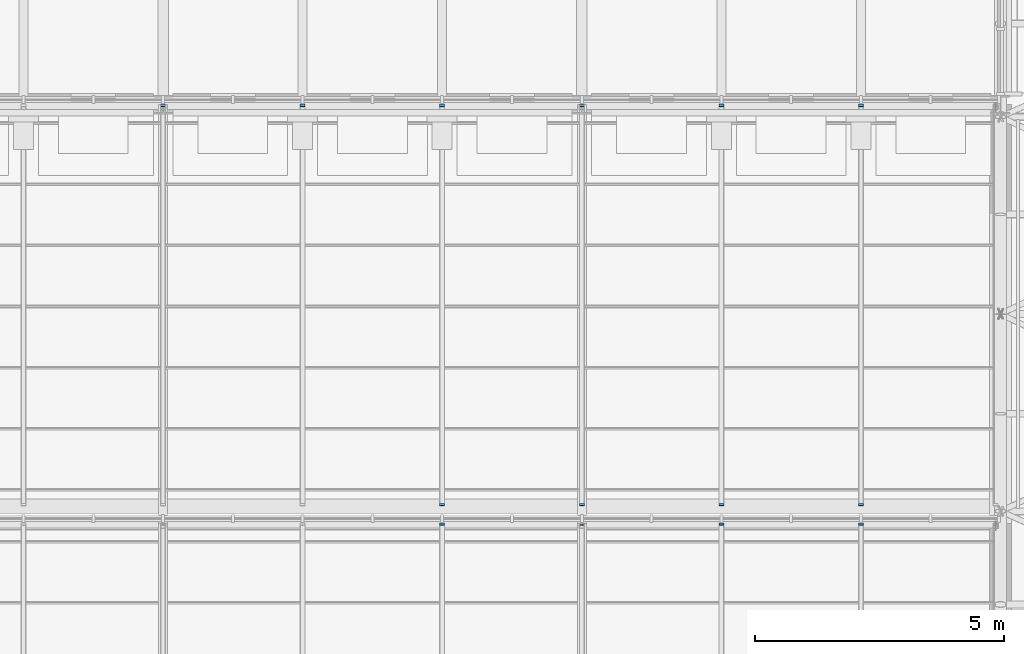
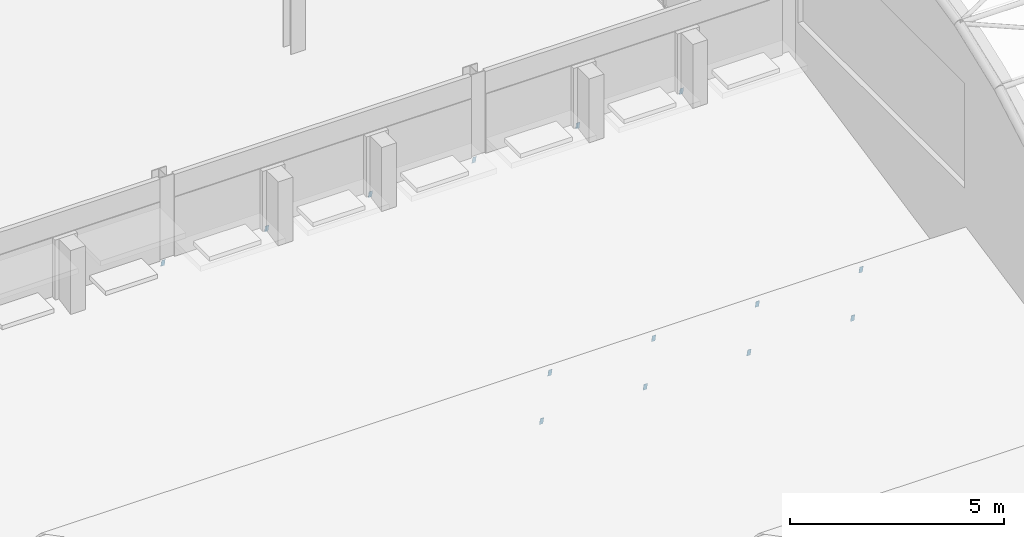
# One storey, part 104 of 121: 14 discrete accessories.
"""IFC4 building model written with IfcOpenShell, lengths in metres."""

from ifc_helpers import new_model, si_unit, direction, frame, origin, origin_2d, place, context, subcontext, project, spatial, rectangle, extrude, material, material_profile, profile_set, type_object, element, save


model = new_model("IFC4")

# Units and contexts
model_context = context("Model", 3, precision=1e-05, world=origin(), true_north=direction((0.0, 1.0)))
body_context = subcontext(model_context, "Body", "Model", "MODEL_VIEW")
ifc_project = project(units=[si_unit("LENGTHUNIT", "METRE"), si_unit("AREAUNIT", "SQUARE_METRE"), si_unit("VOLUMEUNIT", "CUBIC_METRE"), si_unit("PLANEANGLEUNIT", "RADIAN"), si_unit("MASSUNIT", "GRAM", prefix="KILO")], contexts=[model_context])

# Site, building, storey
site_placement = place(None, origin())
site = spatial("IfcSite", under=ifc_project, at=site_placement, CompositionType="ELEMENT")
building_placement = place(site_placement, origin())
building = spatial("IfcBuilding", under=site, at=building_placement, Name="Ardhachandra Cancer Care Centre", CompositionType="ELEMENT")
storey_placement = place(building_placement, frame((0.0, 0.0, 9.0)))
storey = spatial("IfcBuildingStorey", under=building, at=storey_placement, Name="L02", CompositionType="ELEMENT", Elevation=9.0)

# Discrete accessories
ifc_material = material(Name="Galvanised flat steel (Steel E250 (IS 2062))", Category="steel")
ifc_material_profile = material_profile(ifc_material, rectangle(XDim=0.10009765625, YDim=0.199951171875, at=origin_2d()), Name="Rafter end plate 200 x 100 x 8")
ifc_profile_set = profile_set([ifc_material_profile], Name="Galvanised flat steel (Steel E250 (IS 2062))")
discrete_accessory_type = type_object("IfcDiscreteAccessoryType", Name="Rafter end plate 200 x 100 x 8", PredefinedType="BRACKET", material=ifc_profile_set)
for number, where, z_axis, x_axis, name in (
    (1, (33.199951171875, 62.980224609375, 1.91796875), (0.0, 0.976900017396, 0.213696878805), (-1.0, 0.0, 0.0), "Rafter end plate T4a.9.2"),
    (2, (36.0, 62.980224609375, 1.91796875), (0.0, 0.976900017396, 0.213696878805), (-1.0, 0.0, 0.0), "Rafter end plate T4a.10.2"),
    (3, (38.800048828125, 62.980224609375, 1.91796875), (0.0, 0.976900017396, 0.213696878805), (-1.0, 0.0, 0.0), "Rafter end plate T4a.11.2"),
    (4, (41.60009765625, 62.980224609375, 1.91796875), (0.0, 0.976900017396, 0.213696878805), (-1.0, 0.0, 0.0), "Rafter end plate T4a.12.2"),
    (5, (27.60009765625, 71.380126953125, 1.91796875), (0.0, 0.976900017396, 0.213696878805), (-1.0, 0.0, 0.0), "Rafter end plate T5a.4.2"),
    (6, (30.39990234375, 71.380126953125, 1.91796875), (0.0, 0.976900017396, 0.213696878805), (-1.0, 0.0, 0.0), "Rafter end plate T5a.5.2"),
    (7, (33.199951171875, 63.380126953125, 0.298095703125), (0.0, -0.976900017396, -0.213696878805), (1.0, 0.0, 0.0), "Rafter end plate T5a.6.1"),
    (8, (33.199951171875, 71.380126953125, 1.91796875), (0.0, 0.976900017396, 0.213696878805), (-1.0, 0.0, 0.0), "Rafter end plate T5a.6.2"),
    (9, (36.0, 63.380126953125, 0.298095703125), (0.0, -0.976900017396, -0.213696878805), (1.0, 0.0, 0.0), "Rafter end plate T5a.7.1"),
    (10, (36.0, 71.380126953125, 1.91796875), (0.0, 0.976900017396, 0.213696878805), (-1.0, 0.0, 0.0), "Rafter end plate T5a.7.2"),
    (11, (38.800048828125, 63.380126953125, 0.298095703125), (0.0, -0.976900017396, -0.213696878805), (1.0, 0.0, 0.0), "Rafter end plate T5a.8.1"),
    (12, (38.800048828125, 71.380126953125, 1.91796875), (0.0, 0.976900017396, 0.213696878805), (-1.0, 0.0, 0.0), "Rafter end plate T5a.8.2"),
    (13, (41.60009765625, 63.380126953125, 0.298095703125), (0.0, -0.976900017396, -0.213696878805), (1.0, 0.0, 0.0), "Rafter end plate T5a.9.1"),
    (14, (41.60009765625, 71.380126953125, 1.91796875), (0.0, 0.976900017396, 0.213696878805), (-1.0, 0.0, 0.0), "Rafter end plate T5a.9.2"),
):
    element("IfcDiscreteAccessory", number, at=place(storey_placement, frame(where, z_axis=z_axis, x_axis=x_axis)), inside=storey, type_object=discrete_accessory_type, Name=name, PredefinedType="BRACKET", context=body_context, shape_type="SweptSolid", body=[
        extrude(rectangle(XDim=0.10009765625, YDim=0.199951171875, at=origin_2d()), origin(), (0.0, 0.0, 1.0), 0.008056640625),
    ])

save(model, "model.ifc")
